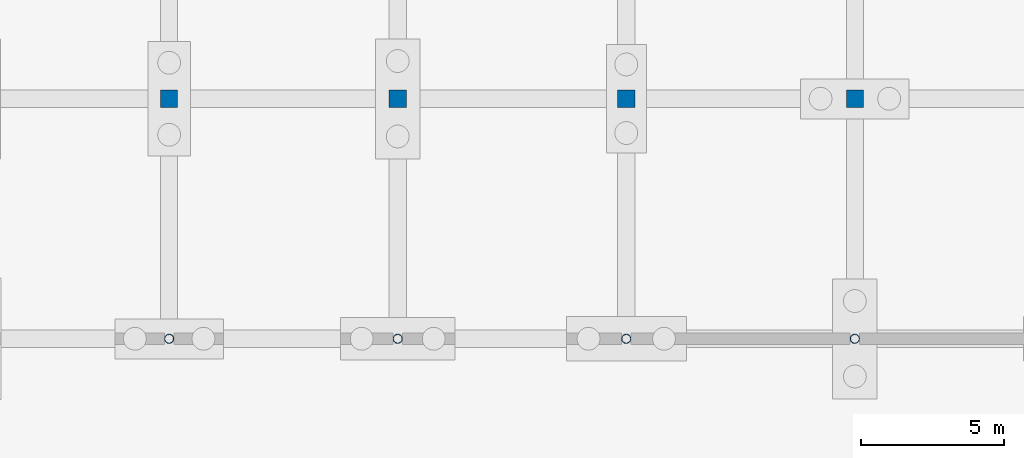
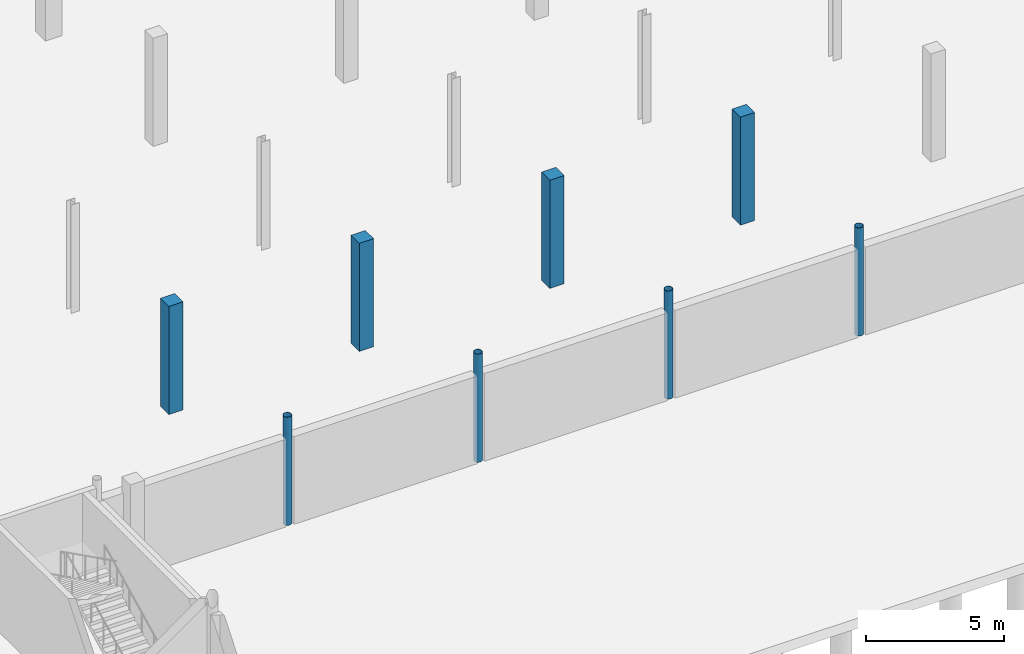
# One storey, part 18 of 44: 8 columns.
"""IFC4 building model written with IfcOpenShell, lengths in metres."""

from ifc_helpers import new_model, si_unit, direction, frame, origin, origin_2d, place, context, subcontext, project, spatial, rectangle, hollow_circle, extrude, material, material_profile, profile_set, type_object, element, save


model = new_model("IFC4")

# Units and contexts
model_context = context("Model", 3, precision=1e-05, world=origin(), true_north=direction((0.0, 1.0)))
body_context = subcontext(model_context, "Body", "Model", "MODEL_VIEW")
ifc_project = project(units=[si_unit("LENGTHUNIT", "METRE"), si_unit("AREAUNIT", "SQUARE_METRE"), si_unit("VOLUMEUNIT", "CUBIC_METRE"), si_unit("PLANEANGLEUNIT", "RADIAN"), si_unit("MASSUNIT", "GRAM", prefix="KILO")], contexts=[model_context])

# Site, building, storey
site_placement = place(None, origin())
site = spatial("IfcSite", under=ifc_project, at=site_placement, CompositionType="ELEMENT")
building_placement = place(site_placement, origin())
building = spatial("IfcBuilding", under=site, at=building_placement, Name="Yukiwa Park Conservatory and Herbarium", CompositionType="ELEMENT")
storey_placement = place(building_placement, frame((0.0, 0.0, -4.800048828125)))
storey = spatial("IfcBuildingStorey", under=building, at=storey_placement, Name="B1", CompositionType="ELEMENT", Elevation=-4.800048828125)

# Columns
ifc_material_1 = material(Name="Concrete C40", Category="concrete")
ifc_material_profile_1 = material_profile(ifc_material_1, rectangle(XDim=0.60009765625, YDim=0.60009765625, at=origin_2d()), Name="RC 600x600")
ifc_profile_set_1 = profile_set([ifc_material_profile_1], Name="Concrete C40")
column_type_1 = type_object("IfcColumnType", Name="COL-B1-RC600", PredefinedType="COLUMN", material=ifc_profile_set_1)
for number, where, z_axis, x_axis, name in (
    (1, (68.0, 24.0, 0.0), (0.0, 0.0, 1.0), (1.0, 0.0, 0.0), "B1 column V2B-X680-Y240"),
    (2, (76.0, 24.0, 0.0), (0.0, 0.0, 1.0), (1.0, 0.0, 0.0), "B1 column V2B-X760-Y240"),
    (3, (84.0, 24.0, 0.0), (0.0, 0.0, 1.0), (1.0, 0.0, 0.0), "B1 column V2B-X840-Y240"),
    (4, (92.0, 24.0, 0.0), (0.0, 0.0, 1.0), (1.0, 0.0, 0.0), "B1 column V2B-X920-Y240"),
):
    element("IfcColumn", number, at=place(storey_placement, frame(where, z_axis=z_axis, x_axis=x_axis)), inside=storey, type_object=column_type_1, Name=name, PredefinedType="COLUMN", context=body_context, shape_type="SweptSolid", body=[
        extrude(rectangle(XDim=0.60009765625, YDim=0.60009765625, at=origin_2d()), origin(), (0.0, 0.0, 1.0), 4.800048828125),
    ])
ifc_material_2 = material(Name="Steel Q355D", Category="steel")
ifc_material_profile_2 = material_profile(ifc_material_2, hollow_circle(Radius=0.16259765625, WallThickness=0.011962890625, at=origin_2d()), Name="CHS 325x12")
ifc_profile_set_2 = profile_set([ifc_material_profile_2], Name="Steel Q355D")
column_type_2 = type_object("IfcColumnType", Name="COL-CN-CHS325", PredefinedType="COLUMN", material=ifc_profile_set_2)
for number, where, z_axis, x_axis, name in (
    (5, (68.0, 15.60009765625, 0.0), (0.0, 0.0, 1.0), (1.0, 0.0, 0.0), "B1 column V2-X680-Y156"),
    (6, (76.0, 15.60009765625, 0.0), (0.0, 0.0, 1.0), (1.0, 0.0, 0.0), "B1 column V2-X760-Y156"),
    (7, (84.0, 15.60009765625, 0.0), (0.0, 0.0, 1.0), (1.0, 0.0, 0.0), "B1 column V2-X840-Y156"),
    (8, (92.0, 15.60009765625, 0.0), (0.0, 0.0, 1.0), (1.0, 0.0, 0.0), "B1 column V2-X920-Y156"),
):
    element("IfcColumn", number, at=place(storey_placement, frame(where, z_axis=z_axis, x_axis=x_axis)), inside=storey, type_object=column_type_2, Name=name, PredefinedType="COLUMN", context=body_context, shape_type="SweptSolid", body=[
        extrude(hollow_circle(Radius=0.16259765625, WallThickness=0.011962890625, at=origin_2d()), origin(), (0.0, 0.0, 1.0), 4.800048828125),
    ])

save(model, "model.ifc")
